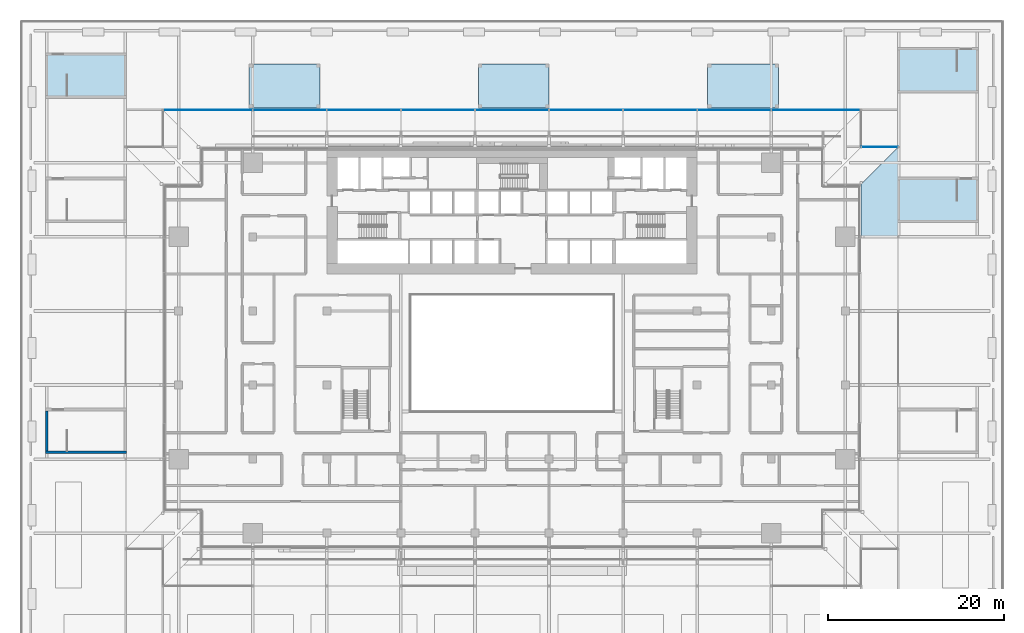
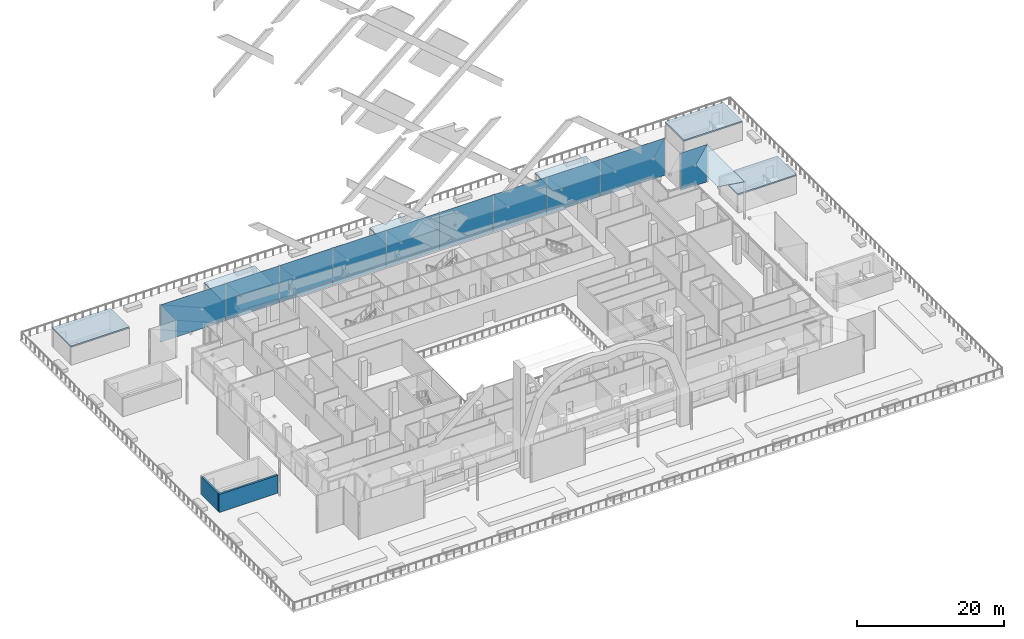
# One storey, part 21 of 60: 14 plates, 3 slabs, 2 walls.
"""IFC4 building model written with IfcOpenShell, lengths in metres."""

from ifc_helpers import new_model, si_unit, direction, frame, frame_2d, origin, place, context, subcontext, project, spatial, polyline, rectangle, outline, extrude, material, layer, layer_set, type_object, element, save


model = new_model("IFC4")

# Units and contexts
model_context = context("Model", 3, precision=1e-05, world=origin(), true_north=direction((0.0, 1.0)))
body_context = subcontext(model_context, "Body", "Model", "MODEL_VIEW")
ifc_project = project(units=[si_unit("LENGTHUNIT", "METRE"), si_unit("AREAUNIT", "SQUARE_METRE"), si_unit("VOLUMEUNIT", "CUBIC_METRE"), si_unit("PLANEANGLEUNIT", "RADIAN"), si_unit("MASSUNIT", "GRAM", prefix="KILO")], contexts=[model_context])

# Site, building, storey
site_placement = place(None, origin())
site = spatial("IfcSite", under=ifc_project, at=site_placement, CompositionType="ELEMENT")
building_placement = place(site_placement, origin())
building = spatial("IfcBuilding", under=site, at=building_placement, Name="Saffron Gate Tower", CompositionType="ELEMENT")
storey_placement = place(building_placement, frame((0.0, 0.0, 19.199951171875)))
storey = spatial("IfcBuildingStorey", under=building, at=storey_placement, Name="L03", CompositionType="ELEMENT", Elevation=19.199951171875)

# Slabs
ifc_material_1 = material(Name="Concrete C70", Category="concrete")
ifc_layer_1 = layer(ifc_material_1, 0.199951171875)
ifc_layer_set_1 = layer_set([ifc_layer_1], Name="CS2 Stair head-house roof slab 200")
slab_type = type_object("IfcSlabType", Name="CS2 Stair head-house roof slab 200", PredefinedType="ROOF", material=ifc_layer_set_1)
slab_1_placement = place(storey_placement, frame((0.0, 0.0, 3.0)))
element("IfcSlab", 1, at=slab_1_placement, inside=storey, type_object=slab_type, Name="Stair head-house roof slab F", PredefinedType="ROOF", context=body_context, shape_type="SweptSolid", body=[
    extrude(outline(polyline([(34.699951171875, 81.125), (43.89990234375, 81.125), (43.89990234375, 86.27490234375), (34.699951171875, 86.27490234375), (34.699951171875, 81.125)])), origin(), (0.0, 0.0, 1.0), 0.199951171875),
])
slab_2_placement = place(storey_placement, frame((0.0, 0.0, 3.0)))
element("IfcSlab", 2, at=slab_2_placement, inside=storey, type_object=slab_type, Name="Stair head-house roof slab I", PredefinedType="ROOF", context=body_context, shape_type="SweptSolid", body=[
    extrude(outline(polyline([(131.300048828125, 81.72509765625), (140.5, 81.72509765625), (140.5, 86.875), (131.300048828125, 86.875), (131.300048828125, 81.72509765625)])), origin(), (0.0, 0.0, 1.0), 0.199951171875),
])
slab_3_placement = place(storey_placement, frame((0.0, 0.0, 3.0)))
element("IfcSlab", 3, at=slab_3_placement, inside=storey, type_object=slab_type, Name="Stair head-house roof slab J", PredefinedType="ROOF", context=body_context, shape_type="SweptSolid", body=[
    extrude(outline(polyline([(131.300048828125, 67.02490234375), (140.5, 67.02490234375), (140.5, 72.175048828125), (131.300048828125, 72.175048828125), (131.300048828125, 67.02490234375)])), origin(), (0.0, 0.0, 1.0), 0.199951171875),
])

# Plates
ifc_material_2 = material(Name="Laminated glass with a ceramic frit", Category="glass")
ifc_layer_2 = layer(ifc_material_2, 0.030029296875)
ifc_layer_set_2 = layer_set([ifc_layer_2], Name="HL2 hall roof glass")
plate_type_1 = type_object("IfcPlateType", Name="HL2 hall roof glass", PredefinedType="SHEET", material=ifc_layer_set_2)
plate_1_placement = place(storey_placement, frame((127.199951171875, 65.39990234375, 6.800048828125), z_axis=(0.141445525081, 0.0, 0.989946040668), x_axis=(0.0, 1.0, 0.0)))
element("IfcPlate", 4, at=plate_1_placement, inside=storey, type_object=plate_type_1, Name="HALL ROOF glass", PredefinedType="SHEET", context=body_context, shape_type="SweptSolid", body=[
    extrude(outline(polyline([(0.0, 0.0), (6.0, 0.0), (10.2001953125, -4.2426061616854005), (0.0, -4.2426061616854005), (0.0, 0.0)])), origin(), (0.0, 0.0, -1.0), 0.030029296875),
])
ifc_material_3 = material(Name="Toughened clear glass", Category="glass")
ifc_layer_3 = layer(ifc_material_3, 0.02001953125)
ifc_layer_set_3 = layer_set([ifc_layer_3], Name="HL3 hall screen glass")
plate_type_2 = type_object("IfcPlateType", Name="HL3 hall screen glass", PredefinedType="SHEET", material=ifc_layer_set_3)
plate_2_placement = place(storey_placement, frame((131.39990234375, 75.60009765625, 0.0), z_axis=(0.0, 1.0, 0.0), x_axis=(-1.0, 0.0, 0.0)))
element("IfcPlate", 5, at=plate_2_placement, inside=storey, type_object=plate_type_2, Name="HALL SCREEN glass", PredefinedType="SHEET", context=body_context, shape_type="SweptSolid", body=[
    extrude(outline(polyline([(0.0, 0.0), (4.199951171875, 0.0), (4.199951171875, 6.199951171875), (0.0, 6.199951171875), (0.0, 0.0)])), origin(), (0.0, 0.0, -1.0), 0.02001953125),
])
plate_3_placement = place(storey_placement, frame((127.199951171875, 79.800048828125, 0.0), z_axis=(0.0, 1.0, 0.0), x_axis=(-1.0, 0.0, 0.0)))
element("IfcPlate", 6, at=plate_3_placement, inside=storey, type_object=plate_type_2, Name="HALL SCREEN glass", PredefinedType="SHEET", context=body_context, shape_type="SweptSolid", body=[
    extrude(outline(polyline([(0.0, 0.0), (10.199951171875, 0.0), (10.199951171875, 6.199951171875), (0.0, 6.199951171875), (0.0, 0.0)])), origin(), (0.0, 0.0, -1.0), 0.02001953125),
])
plate_4_placement = place(storey_placement, frame((117.0, 79.800048828125, 0.0), z_axis=(0.0, 1.0, 0.0), x_axis=(-1.0, 0.0, 0.0)))
element("IfcPlate", 7, at=plate_4_placement, inside=storey, type_object=plate_type_2, Name="HALL SCREEN glass", PredefinedType="SHEET", context=body_context, shape_type="SweptSolid", body=[
    extrude(outline(polyline([(0.0, 0.0), (8.39990234375, 0.0), (8.39990234375, 6.199951171875), (0.0, 6.199951171875), (0.0, 0.0)])), origin(), (0.0, 0.0, -1.0), 0.02001953125),
])
plate_5_placement = place(storey_placement, frame((108.60009765625, 79.800048828125, 0.0), z_axis=(0.0, 1.0, 0.0), x_axis=(-1.0, 0.0, 0.0)))
element("IfcPlate", 8, at=plate_5_placement, inside=storey, type_object=plate_type_2, Name="HALL SCREEN glass", PredefinedType="SHEET", context=body_context, shape_type="SweptSolid", body=[
    extrude(outline(polyline([(0.0, 0.0), (8.400146484375, 0.0), (8.400146484375, 6.199951171875), (0.0, 6.199951171875), (0.0, 0.0)])), origin(), (0.0, 0.0, -1.0), 0.02001953125),
])
plate_6_placement = place(storey_placement, frame((100.199951171875, 79.800048828125, 0.0), z_axis=(0.0, 1.0, 0.0), x_axis=(-1.0, 0.0, 0.0)))
element("IfcPlate", 9, at=plate_6_placement, inside=storey, type_object=plate_type_2, Name="HALL SCREEN glass", PredefinedType="SHEET", context=body_context, shape_type="SweptSolid", body=[
    extrude(outline(polyline([(0.0, 0.0), (8.39990234375, 0.0), (8.39990234375, 6.199951171875), (0.0, 6.199951171875), (0.0, 0.0)])), origin(), (0.0, 0.0, -1.0), 0.02001953125),
])
plate_7_placement = place(storey_placement, frame((91.800048828125, 79.800048828125, 0.0), z_axis=(0.0, 1.0, 0.0), x_axis=(-1.0, 0.0, 0.0)))
element("IfcPlate", 10, at=plate_7_placement, inside=storey, type_object=plate_type_2, Name="HALL SCREEN glass", PredefinedType="SHEET", context=body_context, shape_type="SweptSolid", body=[
    extrude(outline(polyline([(0.0, 0.0), (8.400146484375, 0.0), (8.400146484375, 6.199951171875), (0.0, 6.199951171875), (0.0, 0.0)])), origin(), (0.0, 0.0, -1.0), 0.02001953125),
])
for number, where, z_axis, x_axis, name in (
    (11, (83.39990234375, 79.800048828125, 0.0), (0.0, 1.0, 0.0), (-1.0, 0.0, 0.0), "HALL SCREEN glass"),
    (12, (75.0, 79.800048828125, 0.0), (0.0, 1.0, 0.0), (-1.0, 0.0, 0.0), "HALL SCREEN glass"),
):
    element("IfcPlate", number, at=place(storey_placement, frame(where, z_axis=z_axis, x_axis=x_axis)), inside=storey, type_object=plate_type_2, Name=name, PredefinedType="SHEET", context=body_context, shape_type="SweptSolid", body=[
        extrude(outline(polyline([(0.0, 0.0), (8.39990234375, 0.0), (8.39990234375, 6.199951171875), (0.0, 6.199951171875), (0.0, 0.0)])), origin(), (0.0, 0.0, -1.0), 0.02001953125),
    ])
plate_8_placement = place(storey_placement, frame((66.60009765625, 79.800048828125, 0.0), z_axis=(0.0, 1.0, 0.0), x_axis=(-1.0, 0.0, 0.0)))
element("IfcPlate", 13, at=plate_8_placement, inside=storey, type_object=plate_type_2, Name="HALL SCREEN glass", PredefinedType="SHEET", context=body_context, shape_type="SweptSolid", body=[
    extrude(outline(polyline([(0.0, 0.0), (8.400146484375, 0.0), (8.400146484375, 6.199951171875), (0.0, 6.199951171875), (0.0, 0.0)])), origin(), (0.0, 0.0, -1.0), 0.02001953125),
])
plate_9_placement = place(storey_placement, frame((58.199951171875, 79.800048828125, 0.0), z_axis=(0.0, 1.0, 0.0), x_axis=(-1.0, 0.0, 0.0)))
element("IfcPlate", 14, at=plate_9_placement, inside=storey, type_object=plate_type_2, Name="HALL SCREEN glass", PredefinedType="SHEET", context=body_context, shape_type="SweptSolid", body=[
    extrude(outline(polyline([(0.0, 0.0), (10.199951171875, 0.0), (10.199951171875, 6.199951171875), (0.0, 6.199951171875), (0.0, 0.0)])), origin(), (0.0, 0.0, -1.0), 0.02001953125),
])
ifc_material_4 = material(Name="Powder-coated aluminium louvre plate", Category="aluminium")
ifc_layer_4 = layer(ifc_material_4, 0.14990234375)
ifc_layer_set_4 = layer_set([ifc_layer_4], Name="PG2 pergola roof")
plate_type_3 = type_object("IfcPlateType", Name="PG2 pergola roof", PredefinedType="SHEET", material=ifc_layer_set_4)
plate_10_placement = place(storey_placement, frame((0.0, 0.0, 3.199951171875)))
element("IfcPlate", 15, at=plate_10_placement, inside=storey, type_object=plate_type_3, Name="PERGOLA roof plate", PredefinedType="SHEET", context=body_context, shape_type="SweptSolid", body=[
    extrude(outline(polyline([(57.800048828125, 80.0), (65.800048828125, 80.0), (65.800048828125, 85.0), (57.800048828125, 85.0), (57.800048828125, 80.0)])), origin(), (0.0, 0.0, 1.0), 0.150146484375),
])
plate_11_placement = place(storey_placement, frame((0.0, 0.0, 3.199951171875)))
element("IfcPlate", 16, at=plate_11_placement, inside=storey, type_object=plate_type_3, Name="PERGOLA roof plate", PredefinedType="SHEET", context=body_context, shape_type="SweptSolid", body=[
    extrude(outline(polyline([(83.800048828125, 80.0), (91.800048828125, 80.0), (91.800048828125, 85.0), (83.800048828125, 85.0), (83.800048828125, 80.0)])), origin(), (0.0, 0.0, 1.0), 0.150146484375),
])
plate_12_placement = place(storey_placement, frame((0.0, 0.0, 3.199951171875)))
element("IfcPlate", 17, at=plate_12_placement, inside=storey, type_object=plate_type_3, Name="PERGOLA roof plate", PredefinedType="SHEET", context=body_context, shape_type="SweptSolid", body=[
    extrude(outline(polyline([(109.800048828125, 80.0), (117.800048828125, 80.0), (117.800048828125, 85.0), (109.800048828125, 85.0), (109.800048828125, 80.0)])), origin(), (0.0, 0.0, 1.0), 0.150146484375),
])

# Walls
ifc_layer_5 = layer(ifc_material_1, 0.300048828125)
ifc_layer_set_5 = layer_set([ifc_layer_5], Name="CW5 RC core wall 300 C70")
wall_type = type_object("IfcWallType", Name="CW5 RC core wall 300 C70", PredefinedType="SOLIDWALL", material=ifc_layer_set_5)
wall_1_placement = place(storey_placement, frame((34.699951171875, 40.97509765625, 0.0), z_axis=(0.0, 0.0, 1.0), x_axis=(1.0, 0.0, 0.0)))
element("IfcWall", 18, at=wall_1_placement, inside=storey, type_object=wall_type, Name="Wall CW5-L03-H-1", PredefinedType="SOLIDWALL", context=body_context, shape_type="SweptSolid", body=[
    extrude(rectangle(XDim=9.199951171875, YDim=0.300048828125, at=frame_2d((4.60009765625, 0.0))), origin(), (0.0, 0.0, 1.0), 3.0),
])
wall_2_placement = place(storey_placement, frame((34.85009765625, 41.125, 0.0), z_axis=(0.0, 0.0, 1.0), x_axis=(0.0, 1.0, 0.0)))
element("IfcWall", 19, at=wall_2_placement, inside=storey, type_object=wall_type, Name="Wall CW5-L03-H-2", PredefinedType="SOLIDWALL", context=body_context, shape_type="SweptSolid", body=[
    extrude(rectangle(XDim=4.550048828125, YDim=0.300048828125, at=frame_2d((2.27490234375, 0.0))), origin(), (0.0, 0.0, 1.0), 3.0),
])

save(model, "model.ifc")
